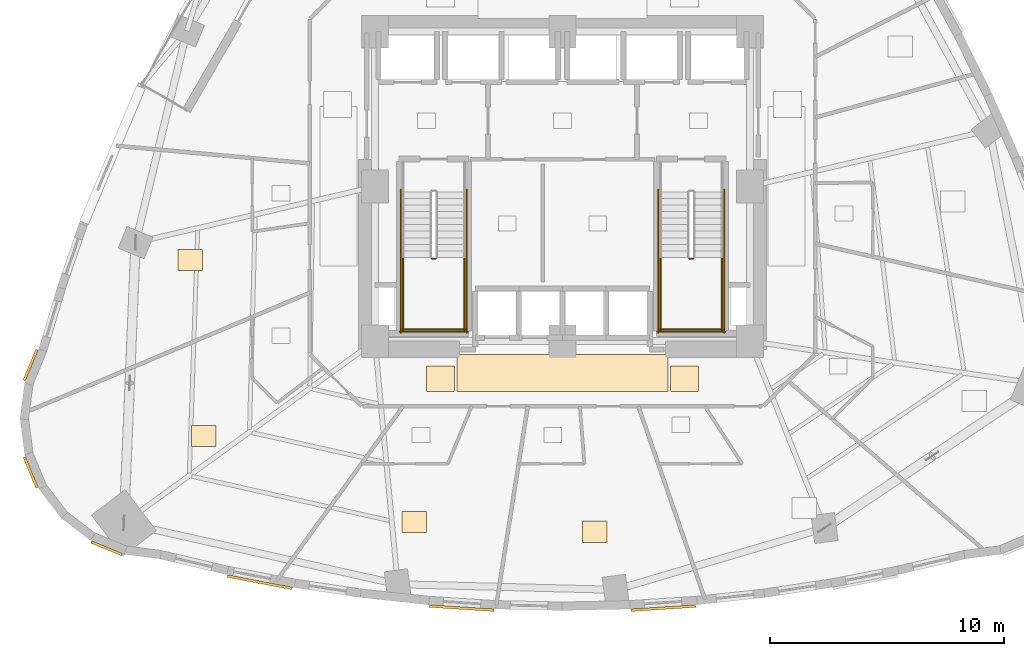
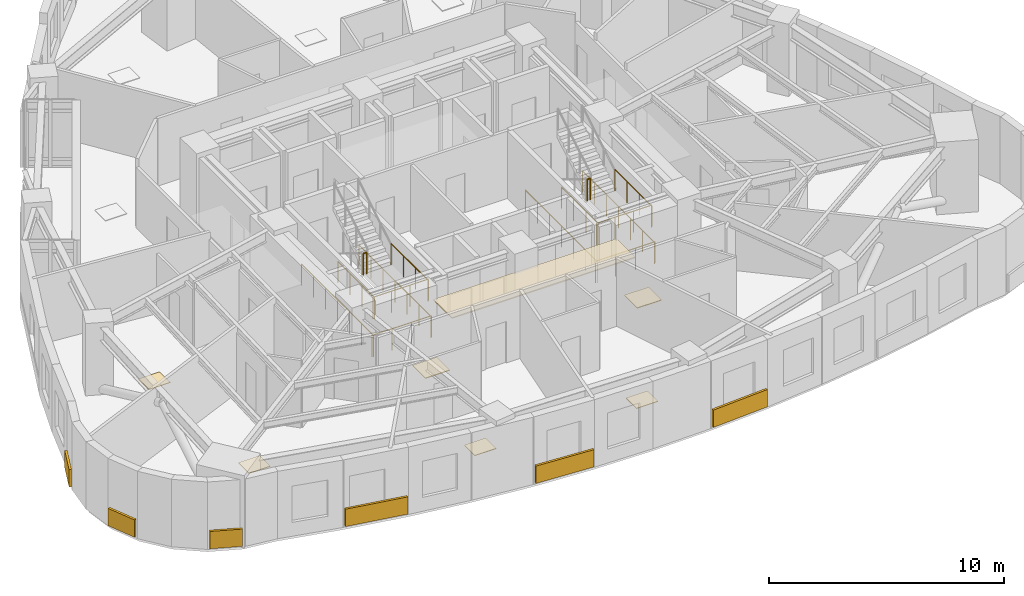
# One storey, part 11 of 13: 14 railings, 13 coverings.
"""IFC4 building model written with IfcOpenShell, lengths in metres."""

from ifc_helpers import new_model, si_unit, direction, frame, origin, origin_2d, place, context, subcontext, project, spatial, rectangle, circle, extrude, material, layer, layer_set, type_object, element, save


model = new_model("IFC4")

# Units and contexts
model_context = context("Model", 3, precision=1e-05, world=origin(), true_north=direction((0.0, 1.0)))
body_context = subcontext(model_context, "Body", "Model", "MODEL_VIEW")
ifc_project = project(units=[si_unit("LENGTHUNIT", "METRE"), si_unit("AREAUNIT", "SQUARE_METRE"), si_unit("VOLUMEUNIT", "CUBIC_METRE"), si_unit("PLANEANGLEUNIT", "RADIAN"), si_unit("MASSUNIT", "GRAM", prefix="KILO")], contexts=[model_context])

# Site, building, storey
site_placement = place(None, origin())
site = spatial("IfcSite", under=ifc_project, at=site_placement, CompositionType="ELEMENT")
building_placement = place(site_placement, origin())
building = spatial("IfcBuilding", under=site, at=building_placement, Name="Ndelora Gate Hotel", CompositionType="ELEMENT")
storey_placement = place(building_placement, frame((0.0, 0.0, 34.25)))
storey = spatial("IfcBuildingStorey", under=building, at=storey_placement, Name="L07", CompositionType="ELEMENT", Elevation=34.25)

# Coverings
ifc_material_1 = material(Name="Perforated Acoustic Gypsum Board", Category="gypsum")
ifc_layer_1 = layer(ifc_material_1, 0.054931640625)
ifc_layer_set_1 = layer_set([ifc_layer_1], Name="Perforated Acoustic Gypsum Board")
covering_type_1 = type_object("IfcCoveringType", Name="COV-CEIL-AC60", PredefinedType="CEILING", material=ifc_layer_set_1)
covering_1_placement = place(storey_placement, frame((0.0, -7.9599609375, 2.65234375), z_axis=(0.0, 0.0, 1.0), x_axis=(1.0, 0.0, 0.0)))
element("IfcCovering", 1, at=covering_1_placement, inside=storey, type_object=covering_type_1, Name="L07 Guest Corridor Acoustic Ceiling S", PredefinedType="CEILING", context=body_context, shape_type="SweptSolid", body=[
    extrude(rectangle(XDim=9.0, YDim=1.580078125, at=origin_2d()), origin(), (0.0, 0.0, 1.0), 0.054931640625),
])
ifc_material_2 = material(Name="Terracotta Fired Clay Brick Slip Cladding", Category="masonry")
ifc_layer_2 = layer(ifc_material_2, 0.110107421875)
ifc_layer_set_2 = layer_set([ifc_layer_2], Name="Terracotta Fired Clay Brick Slip Cladding")
covering_type_2 = type_object("IfcCoveringType", Name="COV-CLAD-BRK", PredefinedType="CLADDING", material=ifc_layer_set_2)
for number, where, z_axis, x_axis, name in (
    (2, (-22.6826171875, -7.614013671875, 0.10009765625), (0.0, 0.0, 1.0), (0.382683432365, 0.923879532511, 0.0), "L07 Rounded-Corner Brick Cladding Band 19"),
    (3, (-22.6826171875, -12.19384765625, 0.10009765625), (0.0, 0.0, 1.0), (-0.382683432365, 0.923879532511, 0.0), "L07 Rounded-Corner Brick Cladding Band 22"),
    (4, (-19.444091796875, -15.432373046875, 0.10009765625), (0.0, 0.0, 1.0), (-0.923879532511, 0.382683432365, 0.0), "L07 Rounded-Corner Brick Cladding Band 25"),
):
    element("IfcCovering", number, at=place(storey_placement, frame(where, z_axis=z_axis, x_axis=x_axis)), inside=storey, type_object=covering_type_2, Name=name, PredefinedType="CLADDING", context=body_context, shape_type="SweptSolid", body=[
        extrude(rectangle(XDim=1.4140625, YDim=0.110107421875, at=origin_2d()), origin(), (0.0, 0.0, 1.0), 0.89990234375),
    ])
covering_2_placement = place(storey_placement, frame((-12.90966796875, -16.88037109375, 0.10009765625), z_axis=(0.0, 0.0, 1.0), x_axis=(-0.981991701121, 0.188924055984, 0.0)))
element("IfcCovering", 5, at=covering_2_placement, inside=storey, type_object=covering_type_2, Name="L07 Rounded-Corner Brick Cladding Band 28", PredefinedType="CLADDING", context=body_context, shape_type="SweptSolid", body=[
    extrude(rectangle(XDim=2.81103515625, YDim=0.110107421875, at=origin_2d()), origin(), (0.0, 0.0, 1.0), 0.89990234375),
])
for number, where, z_axis, x_axis, name in (
    (6, (-4.303466796875, -17.984130859375, 0.10009765625), (0.0, 0.0, 1.0), (-0.997949270516, 0.064009792035, 0.0), "L07 Rounded-Corner Brick Cladding Band 31"),
    (7, (4.303466796875, -17.984130859375, 0.10009765625), (0.0, 0.0, 1.0), (0.997949270516, 0.064009792035, 0.0), "L07 Rounded-Corner Brick Cladding Band 34"),
):
    element("IfcCovering", number, at=place(storey_placement, frame(where, z_axis=z_axis, x_axis=x_axis)), inside=storey, type_object=covering_type_2, Name=name, PredefinedType="CLADDING", context=body_context, shape_type="SweptSolid", body=[
        extrude(rectangle(XDim=2.764892578125, YDim=0.110107421875, at=origin_2d()), origin(), (0.0, 0.0, 1.0), 0.89990234375),
    ])
ifc_material_3 = material(Name="Engineered Highland Oak Parquet", Category="wood")
ifc_layer_3 = layer(ifc_material_3, 0.030029296875)
ifc_layer_set_3 = layer_set([ifc_layer_3], Name="Engineered Highland Oak Parquet")
covering_type_3 = type_object("IfcCoveringType", Name="COV-FLR-PARQ", PredefinedType="FLOORING", material=ifc_layer_set_3)
for number, where, z_axis, x_axis, name in (
    (8, (-15.8720703125, -3.14208984375, 0.0), (0.0, 0.0, 1.0), (1.0, 0.0, 0.0), "L07 Deluxe King Junior Suite 1004 Oak Parquet Flooring"),
    (9, (-15.2939453125, -10.6494140625, 0.0), (0.0, 0.0, 1.0), (1.0, 0.0, 0.0), "L07 Twin Junior Suite 1005 Oak Parquet Flooring"),
    (10, (-6.317138671875, -14.314208984375, 0.0), (0.0, 0.0, 1.0), (1.0, 0.0, 0.0), "L07 Superior Double Guest Room 1006 Oak Parquet Flooring"),
    (11, (1.376708984375, -14.728515625, 0.0), (0.0, 0.0, 1.0), (1.0, 0.0, 0.0), "L07 Executive King Guest Room 1007 Oak Parquet Flooring"),
):
    element("IfcCovering", number, at=place(storey_placement, frame(where, z_axis=z_axis, x_axis=x_axis)), inside=storey, type_object=covering_type_3, Name=name, PredefinedType="FLOORING", context=body_context, shape_type="SweptSolid", body=[
        extrude(rectangle(XDim=1.050048828125, YDim=0.89990234375, at=origin_2d()), origin(), (0.0, 0.0, 1.0), 0.030029296875),
    ])
ifc_material_4 = material(Name="Polished Highland Stone Terrazzo", Category="masonry")
ifc_layer_4 = layer(ifc_material_4, 0.034912109375)
ifc_layer_set_4 = layer_set([ifc_layer_4], Name="Polished Highland Stone Terrazzo")
covering_type_4 = type_object("IfcCoveringType", Name="COV-FLR-TERZ", PredefinedType="FLOORING", material=ifc_layer_set_4)
for number, where, z_axis, x_axis, name in (
    (12, (-5.199951171875, -8.199951171875, 0.0), (0.0, 0.0, 1.0), (1.0, 0.0, 0.0), "L07 Corridor Threshold Terrazzo Inlay SW"),
    (13, (5.199951171875, -8.199951171875, 0.0), (0.0, 0.0, 1.0), (1.0, 0.0, 0.0), "L07 Corridor Threshold Terrazzo Inlay SE"),
):
    element("IfcCovering", number, at=place(storey_placement, frame(where, z_axis=z_axis, x_axis=x_axis)), inside=storey, type_object=covering_type_4, Name=name, PredefinedType="FLOORING", context=body_context, shape_type="SweptSolid", body=[
        extrude(rectangle(XDim=1.199951171875, YDim=1.10009765625, at=origin_2d()), origin(), (0.0, 0.0, 1.0), 0.034912109375),
    ])

# Railings
ifc_material_5 = material(Name="Painted Galvanized Steel Balustrade", Category="steel")
ifc_layer_5 = layer(ifc_material_5, 0.06005859375)
ifc_layer_set_5 = layer_set([ifc_layer_5], Name="Painted Galvanized Steel Balustrade")
railing_type = type_object("IfcRailingType", Name="RL-STAIR-GD", PredefinedType="GUARDRAIL", material=ifc_layer_set_5)
railing_1_placement = place(storey_placement, frame((-5.570068359375, -3.080078125, 1.875)))
element("IfcRailing", 14, at=railing_1_placement, inside=storey, type_object=railing_type, Name="L07 ST4 stair guard 2", PredefinedType="GUARDRAIL", context=body_context, shape_type="SweptSolid", body=[
    extrude(circle(Radius=0.02392578125, at=origin_2d()), frame((0.0, 0.0, 1.10595703125), z_axis=(1.0, 0.0, 0.0), x_axis=(0.0, 1.0, 0.0)), (0.0, 0.0, 1.0), 0.16015625),
    extrude(circle(Radius=0.02099609375, at=origin_2d()), origin(), (0.0, 0.0, 1.0), 1.081787109375),
    extrude(circle(Radius=0.02099609375, at=origin_2d()), frame((0.16015625, 0.0, 0.0)), (0.0, 0.0, 1.0), 1.081787109375),
])
for number, where, name in (
    (15, (-6.800048828125, -3.030029296875, 1.875), "L07 ST4 stair guard 3"),
    (16, (-4.179931640625, -3.030029296875, 1.875), "L07 ST4 stair guard 4"),
):
    element("IfcRailing", number, at=place(storey_placement, frame(where)), inside=storey, type_object=railing_type, Name=name, PredefinedType="GUARDRAIL", context=body_context, shape_type="SweptSolid", body=[
        extrude(circle(Radius=0.02392578125, at=origin_2d()), frame((0.0, 0.0, 1.10595703125), z_axis=(0.0, -1.0, 0.0), x_axis=(1.0, 0.0, 0.0)), (0.0, 0.0, 1.0), 3.119873046875),
        extrude(circle(Radius=0.02099609375, at=origin_2d()), origin(), (0.0, 0.0, 1.0), 1.081787109375),
        extrude(circle(Radius=0.02099609375, at=origin_2d()), frame((0.0, -1.0400390625, 0.0)), (0.0, 0.0, 1.0), 1.081787109375),
        extrude(circle(Radius=0.02099609375, at=origin_2d()), frame((0.0, -2.079833984375, 0.0)), (0.0, 0.0, 1.0), 1.081787109375),
        extrude(circle(Radius=0.02099609375, at=origin_2d()), frame((0.0, -3.119873046875, 0.0)), (0.0, 0.0, 1.0), 1.081787109375),
    ])
railing_2_placement = place(storey_placement, frame((-6.85009765625, -6.10009765625, 1.875)))
element("IfcRailing", 17, at=railing_2_placement, inside=storey, type_object=railing_type, Name="L07 ST4 stair guard 5", PredefinedType="GUARDRAIL", context=body_context, shape_type="SweptSolid", body=[
    extrude(circle(Radius=0.02392578125, at=origin_2d()), frame((0.0, 0.0, 1.10595703125), z_axis=(1.0, 0.0, 0.0), x_axis=(0.0, 1.0, 0.0)), (0.0, 0.0, 1.0), 2.72021484375),
    extrude(circle(Radius=0.02099609375, at=origin_2d()), origin(), (0.0, 0.0, 1.0), 1.081787109375),
    extrude(circle(Radius=0.02099609375, at=origin_2d()), frame((0.90673828125, 0.0, 0.0)), (0.0, 0.0, 1.0), 1.081787109375),
    extrude(circle(Radius=0.02099609375, at=origin_2d()), frame((1.8134765625, 0.0, 0.0)), (0.0, 0.0, 1.0), 1.081787109375),
    extrude(circle(Radius=0.02099609375, at=origin_2d()), frame((2.72021484375, 0.0, 0.0)), (0.0, 0.0, 1.0), 1.081787109375),
])
for number, where, name in (
    (18, (-6.89990234375, -0.1298828125, 0.0), "L07 ST4 stair guard 10"),
    (19, (-4.080078125, -0.1298828125, 0.0), "L07 ST4 stair guard 11"),
):
    element("IfcRailing", number, at=place(storey_placement, frame(where)), inside=storey, type_object=railing_type, Name=name, PredefinedType="GUARDRAIL", context=body_context, shape_type="SweptSolid", body=[
        extrude(circle(Radius=0.02392578125, at=origin_2d()), frame((0.0, 0.0, 1.10595703125), z_axis=(0.0, -1.0, 0.0), x_axis=(1.0, 0.0, 0.0)), (0.0, 0.0, 1.0), 6.1201171875),
        extrude(circle(Radius=0.02099609375, at=origin_2d()), origin(), (0.0, 0.0, 1.0), 1.081787109375),
        extrude(circle(Radius=0.02099609375, at=origin_2d()), frame((0.0, -1.02001953125, 0.0)), (0.0, 0.0, 1.0), 1.081787109375),
        extrude(circle(Radius=0.02099609375, at=origin_2d()), frame((0.0, -2.0400390625, 0.0)), (0.0, 0.0, 1.0), 1.081787109375),
        extrude(circle(Radius=0.02099609375, at=origin_2d()), frame((0.0, -3.06005859375, 0.0)), (0.0, 0.0, 1.0), 1.081787109375),
        extrude(circle(Radius=0.02099609375, at=origin_2d()), frame((0.0, -4.080078125, 0.0)), (0.0, 0.0, 1.0), 1.081787109375),
        extrude(circle(Radius=0.02099609375, at=origin_2d()), frame((0.0, -5.10009765625, 0.0)), (0.0, 0.0, 1.0), 1.081787109375),
        extrude(circle(Radius=0.02099609375, at=origin_2d()), frame((0.0, -6.1201171875, 0.0)), (0.0, 0.0, 1.0), 1.081787109375),
    ])
railing_3_placement = place(storey_placement, frame((-6.949951171875, -6.199951171875, 0.0)))
element("IfcRailing", 20, at=railing_3_placement, inside=storey, type_object=railing_type, Name="L07 ST4 stair guard 12", PredefinedType="GUARDRAIL", context=body_context, shape_type="SweptSolid", body=[
    extrude(circle(Radius=0.02392578125, at=origin_2d()), frame((0.0, 0.0, 1.10595703125), z_axis=(1.0, 0.0, 0.0), x_axis=(0.0, 1.0, 0.0)), (0.0, 0.0, 1.0), 2.919921875),
    extrude(circle(Radius=0.02099609375, at=origin_2d()), origin(), (0.0, 0.0, 1.0), 1.081787109375),
    extrude(circle(Radius=0.02099609375, at=origin_2d()), frame((0.973388671875, 0.0, 0.0)), (0.0, 0.0, 1.0), 1.081787109375),
    extrude(circle(Radius=0.02099609375, at=origin_2d()), frame((1.946533203125, 0.0, 0.0)), (0.0, 0.0, 1.0), 1.081787109375),
    extrude(circle(Radius=0.02099609375, at=origin_2d()), frame((2.919921875, 0.0, 0.0)), (0.0, 0.0, 1.0), 1.081787109375),
])
railing_4_placement = place(storey_placement, frame((5.409912109375, -3.080078125, 1.875)))
element("IfcRailing", 21, at=railing_4_placement, inside=storey, type_object=railing_type, Name="L07 ST5 stair guard 2", PredefinedType="GUARDRAIL", context=body_context, shape_type="SweptSolid", body=[
    extrude(circle(Radius=0.02392578125, at=origin_2d()), frame((0.0, 0.0, 1.10595703125), z_axis=(1.0, 0.0, 0.0), x_axis=(0.0, 1.0, 0.0)), (0.0, 0.0, 1.0), 0.16015625),
    extrude(circle(Radius=0.02099609375, at=origin_2d()), origin(), (0.0, 0.0, 1.0), 1.081787109375),
    extrude(circle(Radius=0.02099609375, at=origin_2d()), frame((0.16015625, 0.0, 0.0)), (0.0, 0.0, 1.0), 1.081787109375),
])
for number, where, name in (
    (22, (4.179931640625, -3.030029296875, 1.875), "L07 ST5 stair guard 3"),
    (23, (6.800048828125, -3.030029296875, 1.875), "L07 ST5 stair guard 4"),
):
    element("IfcRailing", number, at=place(storey_placement, frame(where)), inside=storey, type_object=railing_type, Name=name, PredefinedType="GUARDRAIL", context=body_context, shape_type="SweptSolid", body=[
        extrude(circle(Radius=0.02392578125, at=origin_2d()), frame((0.0, 0.0, 1.10595703125), z_axis=(0.0, -1.0, 0.0), x_axis=(1.0, 0.0, 0.0)), (0.0, 0.0, 1.0), 3.119873046875),
        extrude(circle(Radius=0.02099609375, at=origin_2d()), origin(), (0.0, 0.0, 1.0), 1.081787109375),
        extrude(circle(Radius=0.02099609375, at=origin_2d()), frame((0.0, -1.0400390625, 0.0)), (0.0, 0.0, 1.0), 1.081787109375),
        extrude(circle(Radius=0.02099609375, at=origin_2d()), frame((0.0, -2.079833984375, 0.0)), (0.0, 0.0, 1.0), 1.081787109375),
        extrude(circle(Radius=0.02099609375, at=origin_2d()), frame((0.0, -3.119873046875, 0.0)), (0.0, 0.0, 1.0), 1.081787109375),
    ])
railing_5_placement = place(storey_placement, frame((4.1298828125, -6.10009765625, 1.875)))
element("IfcRailing", 24, at=railing_5_placement, inside=storey, type_object=railing_type, Name="L07 ST5 stair guard 5", PredefinedType="GUARDRAIL", context=body_context, shape_type="SweptSolid", body=[
    extrude(circle(Radius=0.02392578125, at=origin_2d()), frame((0.0, 0.0, 1.10595703125), z_axis=(1.0, 0.0, 0.0), x_axis=(0.0, 1.0, 0.0)), (0.0, 0.0, 1.0), 2.72021484375),
    extrude(circle(Radius=0.02099609375, at=origin_2d()), origin(), (0.0, 0.0, 1.0), 1.081787109375),
    extrude(circle(Radius=0.02099609375, at=origin_2d()), frame((0.90673828125, 0.0, 0.0)), (0.0, 0.0, 1.0), 1.081787109375),
    extrude(circle(Radius=0.02099609375, at=origin_2d()), frame((1.8134765625, 0.0, 0.0)), (0.0, 0.0, 1.0), 1.081787109375),
    extrude(circle(Radius=0.02099609375, at=origin_2d()), frame((2.72021484375, 0.0, 0.0)), (0.0, 0.0, 1.0), 1.081787109375),
])
for number, where, name in (
    (25, (4.080078125, -0.1298828125, 0.0), "L07 ST5 stair guard 10"),
    (26, (6.89990234375, -0.1298828125, 0.0), "L07 ST5 stair guard 11"),
):
    element("IfcRailing", number, at=place(storey_placement, frame(where)), inside=storey, type_object=railing_type, Name=name, PredefinedType="GUARDRAIL", context=body_context, shape_type="SweptSolid", body=[
        extrude(circle(Radius=0.02392578125, at=origin_2d()), frame((0.0, 0.0, 1.10595703125), z_axis=(0.0, -1.0, 0.0), x_axis=(1.0, 0.0, 0.0)), (0.0, 0.0, 1.0), 6.1201171875),
        extrude(circle(Radius=0.02099609375, at=origin_2d()), origin(), (0.0, 0.0, 1.0), 1.081787109375),
        extrude(circle(Radius=0.02099609375, at=origin_2d()), frame((0.0, -1.02001953125, 0.0)), (0.0, 0.0, 1.0), 1.081787109375),
        extrude(circle(Radius=0.02099609375, at=origin_2d()), frame((0.0, -2.0400390625, 0.0)), (0.0, 0.0, 1.0), 1.081787109375),
        extrude(circle(Radius=0.02099609375, at=origin_2d()), frame((0.0, -3.06005859375, 0.0)), (0.0, 0.0, 1.0), 1.081787109375),
        extrude(circle(Radius=0.02099609375, at=origin_2d()), frame((0.0, -4.080078125, 0.0)), (0.0, 0.0, 1.0), 1.081787109375),
        extrude(circle(Radius=0.02099609375, at=origin_2d()), frame((0.0, -5.10009765625, 0.0)), (0.0, 0.0, 1.0), 1.081787109375),
        extrude(circle(Radius=0.02099609375, at=origin_2d()), frame((0.0, -6.1201171875, 0.0)), (0.0, 0.0, 1.0), 1.081787109375),
    ])
railing_6_placement = place(storey_placement, frame((4.030029296875, -6.199951171875, 0.0)))
element("IfcRailing", 27, at=railing_6_placement, inside=storey, type_object=railing_type, Name="L07 ST5 stair guard 12", PredefinedType="GUARDRAIL", context=body_context, shape_type="SweptSolid", body=[
    extrude(circle(Radius=0.02392578125, at=origin_2d()), frame((0.0, 0.0, 1.10595703125), z_axis=(1.0, 0.0, 0.0), x_axis=(0.0, 1.0, 0.0)), (0.0, 0.0, 1.0), 2.919921875),
    extrude(circle(Radius=0.02099609375, at=origin_2d()), origin(), (0.0, 0.0, 1.0), 1.081787109375),
    extrude(circle(Radius=0.02099609375, at=origin_2d()), frame((0.973388671875, 0.0, 0.0)), (0.0, 0.0, 1.0), 1.081787109375),
    extrude(circle(Radius=0.02099609375, at=origin_2d()), frame((1.946533203125, 0.0, 0.0)), (0.0, 0.0, 1.0), 1.081787109375),
    extrude(circle(Radius=0.02099609375, at=origin_2d()), frame((2.919921875, 0.0, 0.0)), (0.0, 0.0, 1.0), 1.081787109375),
])

save(model, "model.ifc")
